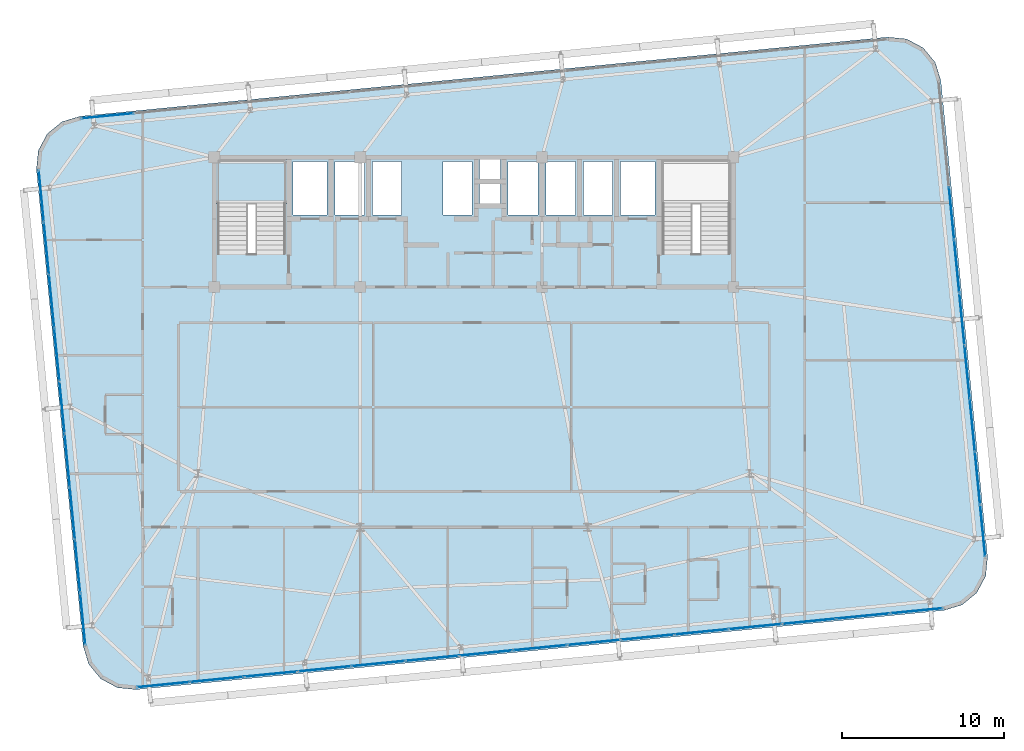
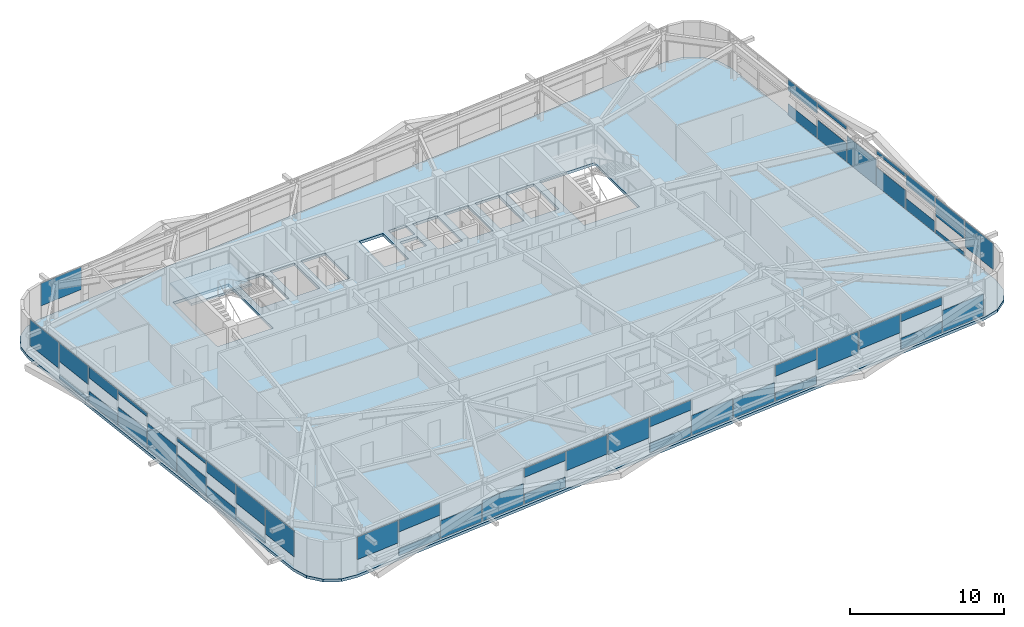
# One storey, part 36 of 54: 48 plates, 2 slabs, 5 elements without a shape of their own.
"""IFC4 building model written with IfcOpenShell, lengths in metres."""

from ifc_helpers import new_model, si_unit, direction, frame, origin, origin_2d, place, context, subcontext, project, spatial, polyline, rectangle, outline, extrude, source, transform, mapped, material, layer, layer_set, type_object, element, aggregate, save


model = new_model("IFC4")

# Units and contexts
model_context = context("Model", 3, precision=1e-05, world=origin(), true_north=direction((0.0, 1.0)))
body_context = subcontext(model_context, "Body", "Model", "MODEL_VIEW")
ifc_project = project(units=[si_unit("LENGTHUNIT", "METRE"), si_unit("AREAUNIT", "SQUARE_METRE"), si_unit("VOLUMEUNIT", "CUBIC_METRE"), si_unit("PLANEANGLEUNIT", "RADIAN"), si_unit("MASSUNIT", "GRAM", prefix="KILO")], contexts=[model_context])

# Site, building, storey
site_placement = place(None, origin())
site = spatial("IfcSite", under=ifc_project, at=site_placement, CompositionType="ELEMENT")
building_placement = place(site_placement, origin())
building = spatial("IfcBuilding", under=site, at=building_placement, Name="Taldren Reach Tower", CompositionType="ELEMENT")
storey_placement = place(building_placement, frame((0.0, 0.0, 99.75)))
storey = spatial("IfcBuildingStorey", under=building, at=storey_placement, Name="L30", CompositionType="ELEMENT", Elevation=99.75)

# Slab
ifc_material_1 = material(Name="Concrete N40 (40 MPa)", Category="concrete")
ifc_layer_1 = layer(ifc_material_1, 0.219970703125)
ifc_layer_set_1 = layer_set([ifc_layer_1], Name="Concrete N40 (40 MPa)")
slab_type_1 = type_object("IfcSlabType", Name="SL-FLR-220", PredefinedType="FLOOR", material=ifc_layer_set_1)
slab_1_placement = place(storey_placement, frame((0.0, 0.0, -0.219970703125)))
element("IfcSlab", 1, at=slab_1_placement, inside=storey, type_object=slab_type_1, Name="Suspended floor slab L30", PredefinedType="FLOOR", context=body_context, shape_type="SweptSolid", body=[
    extrude(outline(polyline([(63.962890625, 4.07421875), (65.0830078125, 4.41357421875), (65.98828125, 5.15576171875), (66.54052734375, 6.187744140625), (66.65576171875, 7.352783203125), (63.777099609375, 36.7119140625), (63.437744140625, 37.832275390625), (62.695556640625, 38.7373046875), (61.663330078125, 39.28955078125), (60.49853515625, 39.40478515625), (10.7373046875, 34.525634765625), (9.616943359375, 34.1865234375), (8.711669921875, 33.4443359375), (8.159423828125, 32.412109375), (8.044189453125, 31.247314453125), (10.923095703125, 1.88818359375), (11.26220703125, 0.767822265625), (12.00439453125, -0.137451171875), (13.03662109375, -0.689697265625), (14.201416015625, -0.804931640625), (63.962890625, 4.07421875)]), holes=[polyline([(19.219970703125, 26.050048828125), (23.3798828125, 26.050048828125), (23.3798828125, 31.820068359375), (19.219970703125, 31.820068359375), (19.219970703125, 26.050048828125)]), polyline([(46.6201171875, 26.050048828125), (50.780029296875, 26.050048828125), (50.780029296875, 31.820068359375), (46.6201171875, 31.820068359375), (46.6201171875, 26.050048828125)]), polyline([(23.85009765625, 28.449951171875), (25.949951171875, 28.449951171875), (25.949951171875, 31.75), (23.85009765625, 31.75), (23.85009765625, 28.449951171875)]), polyline([(44.050048828125, 28.449951171875), (46.14990234375, 28.449951171875), (46.14990234375, 31.75), (44.050048828125, 31.75), (44.050048828125, 28.449951171875)]), polyline([(26.449951171875, 28.449951171875), (28.25, 28.449951171875), (28.25, 31.75), (26.449951171875, 31.75), (26.449951171875, 28.449951171875)]), polyline([(28.75, 28.449951171875), (30.550048828125, 28.449951171875), (30.550048828125, 31.75), (28.75, 31.75), (28.75, 28.449951171875)]), polyline([(33.10009765625, 28.449951171875), (34.89990234375, 28.449951171875), (34.89990234375, 31.75), (33.10009765625, 31.75), (33.10009765625, 28.449951171875)]), polyline([(37.10009765625, 28.449951171875), (38.949951171875, 28.449951171875), (38.949951171875, 31.75), (37.10009765625, 31.75), (37.10009765625, 28.449951171875)]), polyline([(39.449951171875, 28.449951171875), (41.25, 28.449951171875), (41.25, 31.75), (39.449951171875, 31.75), (39.449951171875, 28.449951171875)]), polyline([(41.75, 28.449951171875), (43.550048828125, 28.449951171875), (43.550048828125, 31.75), (41.75, 31.75), (41.75, 28.449951171875)]), polyline([(35.35009765625, 30.64990234375), (36.64990234375, 30.64990234375), (36.64990234375, 31.85009765625), (35.35009765625, 31.85009765625), (35.35009765625, 30.64990234375)]), polyline([(35.35009765625, 29.14990234375), (36.64990234375, 29.14990234375), (36.64990234375, 30.35009765625), (35.35009765625, 30.35009765625), (35.35009765625, 29.14990234375)])]), origin(), (0.0, 0.0, 1.0), 0.219970703125),
])

# Stair, slab
ifc_material_2 = material(Name="Concrete S50 (50 MPa)", Category="concrete")
stair_type = type_object("IfcStairType", Name="ST-HT-315", PredefinedType="HALF_TURN_STAIR", material=ifc_material_2)
stair_placement = place(storey_placement, origin())
stair = element("IfcStair", 2, at=stair_placement, inside=storey, type_object=stair_type, Name="Fire-isolated exit stair ST1 L30", PredefinedType="HALF_TURN_STAIR")
ifc_layer_2 = layer(ifc_material_2, 0.179931640625)
ifc_layer_set_2 = layer_set([ifc_layer_2], Name="Concrete S50 (50 MPa)")
slab_type_2 = type_object("IfcSlabType", Name="SL-LAND-180", PredefinedType="LANDING", material=ifc_layer_set_2)
slab_2_placement = place(storey_placement, frame((0.0, 0.0, 1.39501953125)))
slab_2 = element("IfcSlab", 3, at=slab_2_placement, type_object=slab_type_2, Name="ST1 landing 1", PredefinedType="LANDING", context=body_context, shape_type="SweptSolid", body=[
    extrude(outline(polyline([(19.0400390625, 29.135009765625), (23.56005859375, 29.135009765625), (23.56005859375, 31.8701171875), (19.0400390625, 31.8701171875), (19.0400390625, 29.135009765625)])), origin(), (0.0, 0.0, 1.0), 0.179931640625),
])
aggregate(stair, [slab_2])

# Curtain wall, plates
ifc_material_3 = material(Name="Aluminium and Low-E Glass Unitised System", Category="aluminium")
ifc_layer_3 = layer(ifc_material_3, 0.159912109375)
ifc_layer_set_3 = layer_set([ifc_layer_3], Name="Aluminium and Low-E Glass Unitised System")
curtain_wall_type = type_object("IfcCurtainWallType", Name="CW-SYS-3", PredefinedType="NOTDEFINED", material=ifc_layer_set_3)
curtain_wall_1_placement = place(storey_placement, origin())
curtain_wall_1 = element("IfcCurtainWall", 4, at=curtain_wall_1_placement, inside=storey, type_object=curtain_wall_type, Name="Unitised curtain wall CW-L30-S", PredefinedType="NOTDEFINED")
ifc_material_4 = material(Name="Solar-Control Double Glazed IGU", Category="glass")
ifc_layer_4 = layer(ifc_material_4, 0.031982421875)
ifc_layer_set_4 = layer_set([ifc_layer_4], Name="Solar-Control Double Glazed IGU")
plate_type = type_object("IfcPlateType", Name="CW-PNL-IGU32", PredefinedType="CURTAIN_PANEL", material=ifc_layer_set_4)
shared_shape_1 = source(origin(), body_context, "Body", "SweptSolid", [
    extrude(rectangle(XDim=3.23583984375, YDim=0.031982421875, at=origin_2d()), origin(), (0.0, 0.0, 1.0), 1.72509765625),
])
plate_1_placement = place(storey_placement, frame((62.274169921875, 4.04931640625, 0.054931640625), z_axis=(0.0, 0.0, 1.0), x_axis=(0.995227390247, 0.097582999046, 0.0)))
plate_1 = element("IfcPlate", 5, at=plate_1_placement, type_object=plate_type, Name="CW-3 panel 15.1 part 1", PredefinedType="CURTAIN_PANEL", context=body_context, shape_type="MappedRepresentation", body=[
    mapped(shared_shape_1, transform((0.0, 0.0, 0.0), scale=1.0)),
])
shared_shape_2 = source(origin(), body_context, "Body", "SweptSolid", [
    extrude(rectangle(XDim=3.268310546875, YDim=0.031982421875, at=origin_2d()), origin(), (0.0, 0.0, 1.0), 0.88818359375),
])
plate_2_placement = place(storey_placement, frame((58.972900390625, 3.7255859375, 0.05517578125), z_axis=(0.0, 0.0, 1.0), x_axis=(0.995227390247, 0.097582999046, 0.0)))
plate_2 = element("IfcPlate", 6, at=plate_2_placement, type_object=plate_type, Name="CW-3 panel 14.1 part 1", PredefinedType="CURTAIN_PANEL", context=body_context, shape_type="MappedRepresentation", body=[
    mapped(shared_shape_2, transform((0.0, 0.0, 0.0), scale=1.0)),
])
shared_shape_3 = source(origin(), body_context, "Body", "SweptSolid", [
    extrude(rectangle(XDim=3.268310546875, YDim=0.031982421875, at=origin_2d()), origin(), (0.0, 0.0, 1.0), 0.626953125),
])
plate_3_placement = place(storey_placement, frame((58.972900390625, 3.7255859375, 2.248046875), z_axis=(0.0, 0.0, 1.0), x_axis=(0.995227390247, 0.097582999046, 0.0)))
plate_3 = element("IfcPlate", 7, at=plate_3_placement, type_object=plate_type, Name="CW-3 panel 14.1 part 2", PredefinedType="CURTAIN_PANEL", context=body_context, shape_type="MappedRepresentation", body=[
    mapped(shared_shape_3, transform((0.0, 0.0, 0.0), scale=1.0)),
])
shared_shape_4 = source(origin(), body_context, "Body", "SweptSolid", [
    extrude(rectangle(XDim=3.268310546875, YDim=0.031982421875, at=origin_2d()), origin(), (0.0, 0.0, 1.0), 1.4638671875),
])
plate_4_placement = place(storey_placement, frame((55.655517578125, 3.400390625, 1.4111328125), z_axis=(0.0, 0.0, 1.0), x_axis=(0.995227390247, 0.097582999046, 0.0)))
plate_4 = element("IfcPlate", 8, at=plate_4_placement, type_object=plate_type, Name="CW-3 panel 13.1 part 1", PredefinedType="CURTAIN_PANEL", context=body_context, shape_type="MappedRepresentation", body=[
    mapped(shared_shape_4, transform((0.0, 0.0, 0.0), scale=1.0)),
])
shared_shape_5 = source(origin(), body_context, "Body", "SweptSolid", [
    extrude(rectangle(XDim=3.268310546875, YDim=0.031982421875, at=origin_2d()), origin(), (0.0, 0.0, 1.0), 1.704833984375),
])
plate_5_placement = place(storey_placement, frame((52.338134765625, 3.0751953125, 1.17041015625), z_axis=(0.0, 0.0, 1.0), x_axis=(0.995227390247, 0.097582999046, 0.0)))
plate_5 = element("IfcPlate", 9, at=plate_5_placement, type_object=plate_type, Name="CW-3 panel 12.1 part 1", PredefinedType="CURTAIN_PANEL", context=body_context, shape_type="MappedRepresentation", body=[
    mapped(shared_shape_5, transform((0.0, 0.0, 0.0), scale=1.0)),
])
shared_shape_6 = source(origin(), body_context, "Body", "SweptSolid", [
    extrude(rectangle(XDim=3.268310546875, YDim=0.031982421875, at=origin_2d()), origin(), (0.0, 0.0, 1.0), 0.647216796875),
])
plate_6_placement = place(storey_placement, frame((49.020751953125, 2.749755859375, 0.05517578125), z_axis=(0.0, 0.0, 1.0), x_axis=(0.995227390247, 0.097582999046, 0.0)))
plate_6 = element("IfcPlate", 10, at=plate_6_placement, type_object=plate_type, Name="CW-3 panel 11.1 part 1", PredefinedType="CURTAIN_PANEL", context=body_context, shape_type="MappedRepresentation", body=[
    mapped(shared_shape_6, transform((0.0, 0.0, 0.0), scale=1.0)),
])
shared_shape_7 = source(origin(), body_context, "Body", "SweptSolid", [
    extrude(rectangle(XDim=3.268310546875, YDim=0.031982421875, at=origin_2d()), origin(), (0.0, 0.0, 1.0), 0.867919921875),
])
plate_7_placement = place(storey_placement, frame((49.020751953125, 2.749755859375, 2.0068359375), z_axis=(0.0, 0.0, 1.0), x_axis=(0.995227390247, 0.097582999046, 0.0)))
plate_7 = element("IfcPlate", 11, at=plate_7_placement, type_object=plate_type, Name="CW-3 panel 11.1 part 2", PredefinedType="CURTAIN_PANEL", context=body_context, shape_type="MappedRepresentation", body=[
    mapped(shared_shape_7, transform((0.0, 0.0, 0.0), scale=1.0)),
])
shared_shape_8 = source(origin(), body_context, "Body", "SweptSolid", [
    extrude(rectangle(XDim=3.268310546875, YDim=0.031982421875, at=origin_2d()), origin(), (0.0, 0.0, 1.0), 1.484130859375),
])
plate_8_placement = place(storey_placement, frame((45.703369140625, 2.424560546875, 0.05517578125), z_axis=(0.0, 0.0, 1.0), x_axis=(0.995227390247, 0.097582999046, 0.0)))
plate_8 = element("IfcPlate", 12, at=plate_8_placement, type_object=plate_type, Name="CW-3 panel 10.1 part 1", PredefinedType="CURTAIN_PANEL", context=body_context, shape_type="MappedRepresentation", body=[
    mapped(shared_shape_8, transform((0.0, 0.0, 0.0), scale=1.0)),
])
shared_shape_9 = source(origin(), body_context, "Body", "SweptSolid", [
    extrude(rectangle(XDim=3.268310546875, YDim=0.031982421875, at=origin_2d()), origin(), (0.0, 0.0, 1.0), 1.564453125),
])
plate_9_placement = place(storey_placement, frame((42.3857421875, 2.099365234375, 0.054931640625), z_axis=(0.0, 0.0, 1.0), x_axis=(0.995227390247, 0.097582999046, 0.0)))
plate_9 = element("IfcPlate", 13, at=plate_9_placement, type_object=plate_type, Name="CW-3 panel 9.1 part 1", PredefinedType="CURTAIN_PANEL", context=body_context, shape_type="MappedRepresentation", body=[
    mapped(shared_shape_9, transform((0.0, 0.0, 0.0), scale=1.0)),
])
shared_shape_10 = source(origin(), body_context, "Body", "SweptSolid", [
    extrude(rectangle(XDim=3.268310546875, YDim=0.031982421875, at=origin_2d()), origin(), (0.0, 0.0, 1.0), 0.7275390625),
])
plate_10_placement = place(storey_placement, frame((39.068359375, 1.77392578125, 0.054931640625), z_axis=(0.0, 0.0, 1.0), x_axis=(0.995227390247, 0.097582999046, 0.0)))
plate_10 = element("IfcPlate", 14, at=plate_10_placement, type_object=plate_type, Name="CW-3 panel 8.1 part 1", PredefinedType="CURTAIN_PANEL", context=body_context, shape_type="MappedRepresentation", body=[
    mapped(shared_shape_10, transform((0.0, 0.0, 0.0), scale=1.0)),
])
shared_shape_11 = source(origin(), body_context, "Body", "SweptSolid", [
    extrude(rectangle(XDim=3.268310546875, YDim=0.031982421875, at=origin_2d()), origin(), (0.0, 0.0, 1.0), 0.78759765625),
])
plate_11_placement = place(storey_placement, frame((39.068359375, 1.77392578125, 2.08740234375), z_axis=(0.0, 0.0, 1.0), x_axis=(0.995227390247, 0.097582999046, 0.0)))
plate_11 = element("IfcPlate", 15, at=plate_11_placement, type_object=plate_type, Name="CW-3 panel 8.1 part 2", PredefinedType="CURTAIN_PANEL", context=body_context, shape_type="MappedRepresentation", body=[
    mapped(shared_shape_11, transform((0.0, 0.0, 0.0), scale=1.0)),
])
shared_shape_12 = source(origin(), body_context, "Body", "SweptSolid", [
    extrude(rectangle(XDim=3.268310546875, YDim=0.031982421875, at=origin_2d()), origin(), (0.0, 0.0, 1.0), 1.62451171875),
])
plate_12_placement = place(storey_placement, frame((35.7509765625, 1.44873046875, 1.25048828125), z_axis=(0.0, 0.0, 1.0), x_axis=(0.995227390247, 0.097582999046, 0.0)))
plate_12 = element("IfcPlate", 16, at=plate_12_placement, type_object=plate_type, Name="CW-3 panel 7.1 part 1", PredefinedType="CURTAIN_PANEL", context=body_context, shape_type="MappedRepresentation", body=[
    mapped(shared_shape_12, transform((0.0, 0.0, 0.0), scale=1.0)),
])
shared_shape_13 = source(origin(), body_context, "Body", "SweptSolid", [
    extrude(rectangle(XDim=3.268310546875, YDim=0.031982421875, at=origin_2d()), origin(), (0.0, 0.0, 1.0), 1.544189453125),
])
plate_13_placement = place(storey_placement, frame((32.43359375, 1.12353515625, 1.3310546875), z_axis=(0.0, 0.0, 1.0), x_axis=(0.995227390247, 0.097582999046, 0.0)))
plate_13 = element("IfcPlate", 17, at=plate_13_placement, type_object=plate_type, Name="CW-3 panel 6.1 part 1", PredefinedType="CURTAIN_PANEL", context=body_context, shape_type="MappedRepresentation", body=[
    mapped(shared_shape_13, transform((0.0, 0.0, 0.0), scale=1.0)),
])
shared_shape_14 = source(origin(), body_context, "Body", "SweptSolid", [
    extrude(rectangle(XDim=3.268310546875, YDim=0.031982421875, at=origin_2d()), origin(), (0.0, 0.0, 1.0), 0.807861328125),
])
plate_14_placement = place(storey_placement, frame((29.1162109375, 0.798095703125, 0.05517578125), z_axis=(0.0, 0.0, 1.0), x_axis=(0.995227390247, 0.097582999046, 0.0)))
plate_14 = element("IfcPlate", 18, at=plate_14_placement, type_object=plate_type, Name="CW-3 panel 5.1 part 1", PredefinedType="CURTAIN_PANEL", context=body_context, shape_type="MappedRepresentation", body=[
    mapped(shared_shape_14, transform((0.0, 0.0, 0.0), scale=1.0)),
])
shared_shape_15 = source(origin(), body_context, "Body", "SweptSolid", [
    extrude(rectangle(XDim=3.268310546875, YDim=0.031982421875, at=origin_2d()), origin(), (0.0, 0.0, 1.0), 0.707275390625),
])
plate_15_placement = place(storey_placement, frame((29.1162109375, 0.798095703125, 2.16748046875), z_axis=(0.0, 0.0, 1.0), x_axis=(0.995227390247, 0.097582999046, 0.0)))
plate_15 = element("IfcPlate", 19, at=plate_15_placement, type_object=plate_type, Name="CW-3 panel 5.1 part 2", PredefinedType="CURTAIN_PANEL", context=body_context, shape_type="MappedRepresentation", body=[
    mapped(shared_shape_15, transform((0.0, 0.0, 0.0), scale=1.0)),
])
shared_shape_16 = source(origin(), body_context, "Body", "SweptSolid", [
    extrude(rectangle(XDim=3.268310546875, YDim=0.031982421875, at=origin_2d()), origin(), (0.0, 0.0, 1.0), 1.644775390625),
])
plate_16_placement = place(storey_placement, frame((25.798828125, 0.472900390625, 0.05517578125), z_axis=(0.0, 0.0, 1.0), x_axis=(0.995227390247, 0.097582999046, 0.0)))
plate_16 = element("IfcPlate", 20, at=plate_16_placement, type_object=plate_type, Name="CW-3 panel 4.1 part 1", PredefinedType="CURTAIN_PANEL", context=body_context, shape_type="MappedRepresentation", body=[
    mapped(shared_shape_16, transform((0.0, 0.0, 0.0), scale=1.0)),
])
shared_shape_17 = source(origin(), body_context, "Body", "SweptSolid", [
    extrude(rectangle(XDim=3.268310546875, YDim=0.031982421875, at=origin_2d()), origin(), (0.0, 0.0, 1.0), 1.40380859375),
])
plate_17_placement = place(storey_placement, frame((22.481201171875, 0.147705078125, 0.054931640625), z_axis=(0.0, 0.0, 1.0), x_axis=(0.995227390247, 0.097582999046, 0.0)))
plate_17 = element("IfcPlate", 21, at=plate_17_placement, type_object=plate_type, Name="CW-3 panel 3.1 part 1", PredefinedType="CURTAIN_PANEL", context=body_context, shape_type="MappedRepresentation", body=[
    mapped(shared_shape_17, transform((0.0, 0.0, 0.0), scale=1.0)),
])
shared_shape_18 = source(origin(), body_context, "Body", "SweptSolid", [
    extrude(rectangle(XDim=3.268310546875, YDim=0.031982421875, at=origin_2d()), origin(), (0.0, 0.0, 1.0), 0.56689453125),
])
plate_18_placement = place(storey_placement, frame((19.163818359375, -0.177734375, 0.054931640625), z_axis=(0.0, 0.0, 1.0), x_axis=(0.995227390247, 0.097582999046, 0.0)))
plate_18 = element("IfcPlate", 22, at=plate_18_placement, type_object=plate_type, Name="CW-3 panel 2.1 part 1", PredefinedType="CURTAIN_PANEL", context=body_context, shape_type="MappedRepresentation", body=[
    mapped(shared_shape_18, transform((0.0, 0.0, 0.0), scale=1.0)),
])
shared_shape_19 = source(origin(), body_context, "Body", "SweptSolid", [
    extrude(rectangle(XDim=3.268310546875, YDim=0.031982421875, at=origin_2d()), origin(), (0.0, 0.0, 1.0), 0.9482421875),
])
plate_19_placement = place(storey_placement, frame((19.163818359375, -0.177734375, 1.9267578125), z_axis=(0.0, 0.0, 1.0), x_axis=(0.995227390247, 0.097582999046, 0.0)))
plate_19 = element("IfcPlate", 23, at=plate_19_placement, type_object=plate_type, Name="CW-3 panel 2.1 part 2", PredefinedType="CURTAIN_PANEL", context=body_context, shape_type="MappedRepresentation", body=[
    mapped(shared_shape_19, transform((0.0, 0.0, 0.0), scale=1.0)),
])
shared_shape_20 = source(origin(), body_context, "Body", "SweptSolid", [
    extrude(rectangle(XDim=3.23583984375, YDim=0.031982421875, at=origin_2d()), origin(), (0.0, 0.0, 1.0), 1.78515625),
])
plate_20_placement = place(storey_placement, frame((15.862548828125, -0.501220703125, 1.08984375), z_axis=(0.0, 0.0, 1.0), x_axis=(0.995227390247, 0.097582999046, 0.0)))
plate_20 = element("IfcPlate", 24, at=plate_20_placement, type_object=plate_type, Name="CW-3 panel 1.1 part 1", PredefinedType="CURTAIN_PANEL", context=body_context, shape_type="MappedRepresentation", body=[
    mapped(shared_shape_20, transform((0.0, 0.0, 0.0), scale=1.0)),
])
aggregate(curtain_wall_1, [plate_20, plate_18, plate_19, plate_17, plate_16, plate_14, plate_15, plate_13, plate_12, plate_10, plate_11, plate_9, plate_8, plate_6, plate_7, plate_5, plate_4, plate_2, plate_3, plate_1])

# Curtain wall, plate
curtain_wall_2_placement = place(storey_placement, origin())
curtain_wall_2 = element("IfcCurtainWall", 25, at=curtain_wall_2_placement, inside=storey, type_object=curtain_wall_type, Name="Unitised curtain wall CW-L30-N", PredefinedType="NOTDEFINED")
plate_21_placement = place(storey_placement, frame((12.42578125, 34.550537109375, 1.08984375), z_axis=(0.0, 0.0, 1.0), x_axis=(-0.995227390247, -0.097582999046, 0.0)))
plate_21 = element("IfcPlate", 26, at=plate_21_placement, type_object=plate_type, Name="CW-3 panel 15.1 part 1", PredefinedType="CURTAIN_PANEL", context=body_context, shape_type="MappedRepresentation", body=[
    mapped(shared_shape_20, transform((0.0, 0.0, 0.0), scale=1.0)),
])
aggregate(curtain_wall_2, [plate_21])

# Curtain wall, plates
curtain_wall_3_placement = place(storey_placement, origin())
curtain_wall_3 = element("IfcCurtainWall", 27, at=curtain_wall_3_placement, inside=storey, type_object=curtain_wall_type, Name="Unitised curtain wall CW-L30-W", PredefinedType="NOTDEFINED")
shared_shape_21 = source(origin(), body_context, "Body", "SweptSolid", [
    extrude(rectangle(XDim=3.18017578125, YDim=0.031982421875, at=origin_2d()), origin(), (0.0, 0.0, 1.0), 2.049560546875),
])
plate_22_placement = place(storey_placement, frame((8.34521484375, 29.61376953125, 0.82568359375), z_axis=(0.0, 0.0, 1.0), x_axis=(0.09758274098, -0.99522741555, 0.0)))
plate_22 = element("IfcPlate", 28, at=plate_22_placement, type_object=plate_type, Name="CW-3 panel 1.1 part 1", PredefinedType="CURTAIN_PANEL", context=body_context, shape_type="MappedRepresentation", body=[
    mapped(shared_shape_21, transform((0.0, 0.0, 0.0), scale=1.0)),
])
plate_23_placement = place(storey_placement, frame((10.90087890625, 3.549072265625, 0.82568359375), z_axis=(0.0, 0.0, 1.0), x_axis=(0.09758274098, -0.99522741555, 0.0)))
plate_23 = element("IfcPlate", 29, at=plate_23_placement, type_object=plate_type, Name="CW-3 panel 9.1 part 1", PredefinedType="CURTAIN_PANEL", context=body_context, shape_type="MappedRepresentation", body=[
    mapped(shared_shape_21, transform((0.0, 0.0, 0.0), scale=1.0)),
])

# Curtain wall, plate
curtain_wall_4_placement = place(storey_placement, origin())
curtain_wall_4 = element("IfcCurtainWall", 30, at=curtain_wall_4_placement, inside=storey, type_object=curtain_wall_type, Name="Unitised curtain wall CW-L30-E", PredefinedType="NOTDEFINED")
plate_24_placement = place(storey_placement, frame((66.35498046875, 8.986328125, 0.82568359375), z_axis=(0.0, 0.0, 1.0), x_axis=(-0.09758274098, 0.99522741555, 0.0)))
plate_24 = element("IfcPlate", 31, at=plate_24_placement, type_object=plate_type, Name="CW-3 panel 1.1 part 1", PredefinedType="CURTAIN_PANEL", context=body_context, shape_type="MappedRepresentation", body=[
    mapped(shared_shape_21, transform((0.0, 0.0, 0.0), scale=1.0)),
])

# Plate
shared_shape_22 = source(origin(), body_context, "Body", "SweptSolid", [
    extrude(rectangle(XDim=3.212890625, YDim=0.031982421875, at=origin_2d()), origin(), (0.0, 0.0, 1.0), 0.3046875),
])
plate_25_placement = place(storey_placement, frame((8.663330078125, 26.36767578125, 0.054931640625), z_axis=(0.0, 0.0, 1.0), x_axis=(0.09758274098, -0.99522741555, 0.0)))
plate_25 = element("IfcPlate", 32, at=plate_25_placement, type_object=plate_type, Name="CW-3 panel 2.1 part 1", PredefinedType="CURTAIN_PANEL", context=body_context, shape_type="MappedRepresentation", body=[
    mapped(shared_shape_22, transform((0.0, 0.0, 0.0), scale=1.0)),
])

plate_26_placement = place(storey_placement, frame((10.58251953125, 6.794921875, 0.054931640625), z_axis=(0.0, 0.0, 1.0), x_axis=(0.09758274098, -0.99522741555, 0.0)))
plate_26 = element("IfcPlate", 33, at=plate_26_placement, type_object=plate_type, Name="CW-3 panel 8.1 part 1", PredefinedType="CURTAIN_PANEL", context=body_context, shape_type="MappedRepresentation", body=[
    mapped(shared_shape_22, transform((0.0, 0.0, 0.0), scale=1.0)),
])

plate_27_placement = place(storey_placement, frame((66.03662109375, 12.232177734375, 0.054931640625), z_axis=(0.0, 0.0, 1.0), x_axis=(-0.09758274098, 0.99522741555, 0.0)))
plate_27 = element("IfcPlate", 34, at=plate_27_placement, type_object=plate_type, Name="CW-3 panel 2.1 part 1", PredefinedType="CURTAIN_PANEL", context=body_context, shape_type="MappedRepresentation", body=[
    mapped(shared_shape_22, transform((0.0, 0.0, 0.0), scale=1.0)),
])

shared_shape_23 = source(origin(), body_context, "Body", "SweptSolid", [
    extrude(rectangle(XDim=3.212890625, YDim=0.031982421875, at=origin_2d()), origin(), (0.0, 0.0, 1.0), 1.461669921875),
])
plate_28_placement = place(storey_placement, frame((8.663330078125, 26.36767578125, 1.4130859375), z_axis=(0.0, 0.0, 1.0), x_axis=(0.09758274098, -0.99522741555, 0.0)))
plate_28 = element("IfcPlate", 35, at=plate_28_placement, type_object=plate_type, Name="CW-3 panel 2.1 part 2", PredefinedType="CURTAIN_PANEL", context=body_context, shape_type="MappedRepresentation", body=[
    mapped(shared_shape_23, transform((0.0, 0.0, 0.0), scale=1.0)),
])

plate_29_placement = place(storey_placement, frame((10.58251953125, 6.794921875, 1.4130859375), z_axis=(0.0, 0.0, 1.0), x_axis=(0.09758274098, -0.99522741555, 0.0)))
plate_29 = element("IfcPlate", 36, at=plate_29_placement, type_object=plate_type, Name="CW-3 panel 8.1 part 2", PredefinedType="CURTAIN_PANEL", context=body_context, shape_type="MappedRepresentation", body=[
    mapped(shared_shape_23, transform((0.0, 0.0, 0.0), scale=1.0)),
])

plate_30_placement = place(storey_placement, frame((66.03662109375, 12.232177734375, 1.4130859375), z_axis=(0.0, 0.0, 1.0), x_axis=(-0.09758274098, 0.99522741555, 0.0)))
plate_30 = element("IfcPlate", 37, at=plate_30_placement, type_object=plate_type, Name="CW-3 panel 2.1 part 2", PredefinedType="CURTAIN_PANEL", context=body_context, shape_type="MappedRepresentation", body=[
    mapped(shared_shape_23, transform((0.0, 0.0, 0.0), scale=1.0)),
])

shared_shape_24 = source(origin(), body_context, "Body", "SweptSolid", [
    extrude(rectangle(XDim=3.212890625, YDim=0.031982421875, at=origin_2d()), origin(), (0.0, 0.0, 1.0), 0.892578125),
])
plate_31_placement = place(storey_placement, frame((8.983154296875, 23.105712890625, 0.054931640625), z_axis=(0.0, 0.0, 1.0), x_axis=(0.09758274098, -0.99522741555, 0.0)))
plate_31 = element("IfcPlate", 38, at=plate_31_placement, type_object=plate_type, Name="CW-3 panel 3.1 part 1", PredefinedType="CURTAIN_PANEL", context=body_context, shape_type="MappedRepresentation", body=[
    mapped(shared_shape_24, transform((0.0, 0.0, 0.0), scale=1.0)),
])

plate_32_placement = place(storey_placement, frame((10.2626953125, 10.05712890625, 0.054931640625), z_axis=(0.0, 0.0, 1.0), x_axis=(0.09758274098, -0.99522741555, 0.0)))
plate_32 = element("IfcPlate", 39, at=plate_32_placement, type_object=plate_type, Name="CW-3 panel 7.1 part 1", PredefinedType="CURTAIN_PANEL", context=body_context, shape_type="MappedRepresentation", body=[
    mapped(shared_shape_24, transform((0.0, 0.0, 0.0), scale=1.0)),
])

plate_33_placement = place(storey_placement, frame((65.716796875, 15.494384765625, 0.054931640625), z_axis=(0.0, 0.0, 1.0), x_axis=(-0.09758274098, 0.99522741555, 0.0)))
plate_33 = element("IfcPlate", 40, at=plate_33_placement, type_object=plate_type, Name="CW-3 panel 3.1 part 1", PredefinedType="CURTAIN_PANEL", context=body_context, shape_type="MappedRepresentation", body=[
    mapped(shared_shape_24, transform((0.0, 0.0, 0.0), scale=1.0)),
])

plate_34_placement = place(storey_placement, frame((64.437255859375, 28.54296875, 0.054931640625), z_axis=(0.0, 0.0, 1.0), x_axis=(-0.09758274098, 0.99522741555, 0.0)))
plate_34 = element("IfcPlate", 41, at=plate_34_placement, type_object=plate_type, Name="CW-3 panel 7.1 part 1", PredefinedType="CURTAIN_PANEL", context=body_context, shape_type="MappedRepresentation", body=[
    mapped(shared_shape_24, transform((0.0, 0.0, 0.0), scale=1.0)),
])

shared_shape_25 = source(origin(), body_context, "Body", "SweptSolid", [
    extrude(rectangle(XDim=3.212890625, YDim=0.031982421875, at=origin_2d()), origin(), (0.0, 0.0, 1.0), 0.873779296875),
])
plate_35_placement = place(storey_placement, frame((8.983154296875, 23.105712890625, 2.0009765625), z_axis=(0.0, 0.0, 1.0), x_axis=(0.09758274098, -0.99522741555, 0.0)))
plate_35 = element("IfcPlate", 42, at=plate_35_placement, type_object=plate_type, Name="CW-3 panel 3.1 part 2", PredefinedType="CURTAIN_PANEL", context=body_context, shape_type="MappedRepresentation", body=[
    mapped(shared_shape_25, transform((0.0, 0.0, 0.0), scale=1.0)),
])

plate_36_placement = place(storey_placement, frame((10.2626953125, 10.05712890625, 2.0009765625), z_axis=(0.0, 0.0, 1.0), x_axis=(0.09758274098, -0.99522741555, 0.0)))
plate_36 = element("IfcPlate", 43, at=plate_36_placement, type_object=plate_type, Name="CW-3 panel 7.1 part 2", PredefinedType="CURTAIN_PANEL", context=body_context, shape_type="MappedRepresentation", body=[
    mapped(shared_shape_25, transform((0.0, 0.0, 0.0), scale=1.0)),
])

plate_37_placement = place(storey_placement, frame((65.716796875, 15.494384765625, 2.0009765625), z_axis=(0.0, 0.0, 1.0), x_axis=(-0.09758274098, 0.99522741555, 0.0)))
plate_37 = element("IfcPlate", 44, at=plate_37_placement, type_object=plate_type, Name="CW-3 panel 3.1 part 2", PredefinedType="CURTAIN_PANEL", context=body_context, shape_type="MappedRepresentation", body=[
    mapped(shared_shape_25, transform((0.0, 0.0, 0.0), scale=1.0)),
])

plate_38_placement = place(storey_placement, frame((64.437255859375, 28.54296875, 2.0009765625), z_axis=(0.0, 0.0, 1.0), x_axis=(-0.09758274098, 0.99522741555, 0.0)))
plate_38 = element("IfcPlate", 45, at=plate_38_placement, type_object=plate_type, Name="CW-3 panel 7.1 part 2", PredefinedType="CURTAIN_PANEL", context=body_context, shape_type="MappedRepresentation", body=[
    mapped(shared_shape_25, transform((0.0, 0.0, 0.0), scale=1.0)),
])

shared_shape_26 = source(origin(), body_context, "Body", "SweptSolid", [
    extrude(rectangle(XDim=3.212890625, YDim=0.031982421875, at=origin_2d()), origin(), (0.0, 0.0, 1.0), 1.48046875),
])
plate_39_placement = place(storey_placement, frame((9.30322265625, 19.843505859375, 0.054931640625), z_axis=(0.0, 0.0, 1.0), x_axis=(0.09758274098, -0.99522741555, 0.0)))
plate_39 = element("IfcPlate", 46, at=plate_39_placement, type_object=plate_type, Name="CW-3 panel 4.1 part 1", PredefinedType="CURTAIN_PANEL", context=body_context, shape_type="MappedRepresentation", body=[
    mapped(shared_shape_26, transform((0.0, 0.0, 0.0), scale=1.0)),
])

plate_40_placement = place(storey_placement, frame((9.94287109375, 13.319091796875, 0.054931640625), z_axis=(0.0, 0.0, 1.0), x_axis=(0.09758274098, -0.99522741555, 0.0)))
plate_40 = element("IfcPlate", 47, at=plate_40_placement, type_object=plate_type, Name="CW-3 panel 6.1 part 1", PredefinedType="CURTAIN_PANEL", context=body_context, shape_type="MappedRepresentation", body=[
    mapped(shared_shape_26, transform((0.0, 0.0, 0.0), scale=1.0)),
])

plate_41_placement = place(storey_placement, frame((65.39697265625, 18.756591796875, 0.054931640625), z_axis=(0.0, 0.0, 1.0), x_axis=(-0.09758274098, 0.99522741555, 0.0)))
plate_41 = element("IfcPlate", 48, at=plate_41_placement, type_object=plate_type, Name="CW-3 panel 4.1 part 1", PredefinedType="CURTAIN_PANEL", context=body_context, shape_type="MappedRepresentation", body=[
    mapped(shared_shape_26, transform((0.0, 0.0, 0.0), scale=1.0)),
])

plate_42_placement = place(storey_placement, frame((64.757080078125, 25.28076171875, 0.054931640625), z_axis=(0.0, 0.0, 1.0), x_axis=(-0.09758274098, 0.99522741555, 0.0)))
plate_42 = element("IfcPlate", 49, at=plate_42_placement, type_object=plate_type, Name="CW-3 panel 6.1 part 1", PredefinedType="CURTAIN_PANEL", context=body_context, shape_type="MappedRepresentation", body=[
    mapped(shared_shape_26, transform((0.0, 0.0, 0.0), scale=1.0)),
])

shared_shape_27 = source(origin(), body_context, "Body", "SweptSolid", [
    extrude(rectangle(XDim=3.212890625, YDim=0.031982421875, at=origin_2d()), origin(), (0.0, 0.0, 1.0), 0.2861328125),
])
plate_43_placement = place(storey_placement, frame((9.30322265625, 19.843505859375, 2.5888671875), z_axis=(0.0, 0.0, 1.0), x_axis=(0.09758274098, -0.99522741555, 0.0)))
plate_43 = element("IfcPlate", 50, at=plate_43_placement, type_object=plate_type, Name="CW-3 panel 4.1 part 2", PredefinedType="CURTAIN_PANEL", context=body_context, shape_type="MappedRepresentation", body=[
    mapped(shared_shape_27, transform((0.0, 0.0, 0.0), scale=1.0)),
])

plate_44_placement = place(storey_placement, frame((9.94287109375, 13.319091796875, 2.5888671875), z_axis=(0.0, 0.0, 1.0), x_axis=(0.09758274098, -0.99522741555, 0.0)))
plate_44 = element("IfcPlate", 51, at=plate_44_placement, type_object=plate_type, Name="CW-3 panel 6.1 part 2", PredefinedType="CURTAIN_PANEL", context=body_context, shape_type="MappedRepresentation", body=[
    mapped(shared_shape_27, transform((0.0, 0.0, 0.0), scale=1.0)),
])

plate_45_placement = place(storey_placement, frame((65.39697265625, 18.756591796875, 2.5888671875), z_axis=(0.0, 0.0, 1.0), x_axis=(-0.09758274098, 0.99522741555, 0.0)))
plate_45 = element("IfcPlate", 52, at=plate_45_placement, type_object=plate_type, Name="CW-3 panel 4.1 part 2", PredefinedType="CURTAIN_PANEL", context=body_context, shape_type="MappedRepresentation", body=[
    mapped(shared_shape_27, transform((0.0, 0.0, 0.0), scale=1.0)),
])

plate_46_placement = place(storey_placement, frame((64.757080078125, 25.28076171875, 2.5888671875), z_axis=(0.0, 0.0, 1.0), x_axis=(-0.09758274098, 0.99522741555, 0.0)))
plate_46 = element("IfcPlate", 53, at=plate_46_placement, type_object=plate_type, Name="CW-3 panel 6.1 part 2", PredefinedType="CURTAIN_PANEL", context=body_context, shape_type="MappedRepresentation", body=[
    mapped(shared_shape_27, transform((0.0, 0.0, 0.0), scale=1.0)),
])

shared_shape_28 = source(origin(), body_context, "Body", "SweptSolid", [
    extrude(rectangle(XDim=3.212890625, YDim=0.031982421875, at=origin_2d()), origin(), (0.0, 0.0, 1.0), 2.068359375),
])
plate_47_placement = place(storey_placement, frame((9.623046875, 16.581298828125, 0.054931640625), z_axis=(0.0, 0.0, 1.0), x_axis=(0.09758274098, -0.99522741555, 0.0)))
plate_47 = element("IfcPlate", 54, at=plate_47_placement, type_object=plate_type, Name="CW-3 panel 5.1 part 1", PredefinedType="CURTAIN_PANEL", context=body_context, shape_type="MappedRepresentation", body=[
    mapped(shared_shape_28, transform((0.0, 0.0, 0.0), scale=1.0)),
])

aggregate(curtain_wall_3, [plate_22, plate_25, plate_28, plate_31, plate_35, plate_39, plate_43, plate_47, plate_40, plate_44, plate_32, plate_36, plate_26, plate_29, plate_23])

plate_48_placement = place(storey_placement, frame((65.0771484375, 22.0185546875, 0.054931640625), z_axis=(0.0, 0.0, 1.0), x_axis=(-0.09758274098, 0.99522741555, 0.0)))
plate_48 = element("IfcPlate", 55, at=plate_48_placement, type_object=plate_type, Name="CW-3 panel 5.1 part 1", PredefinedType="CURTAIN_PANEL", context=body_context, shape_type="MappedRepresentation", body=[
    mapped(shared_shape_28, transform((0.0, 0.0, 0.0), scale=1.0)),
])

aggregate(curtain_wall_4, [plate_24, plate_27, plate_30, plate_33, plate_37, plate_41, plate_45, plate_48, plate_42, plate_46, plate_34, plate_38])

save(model, "model.ifc")
